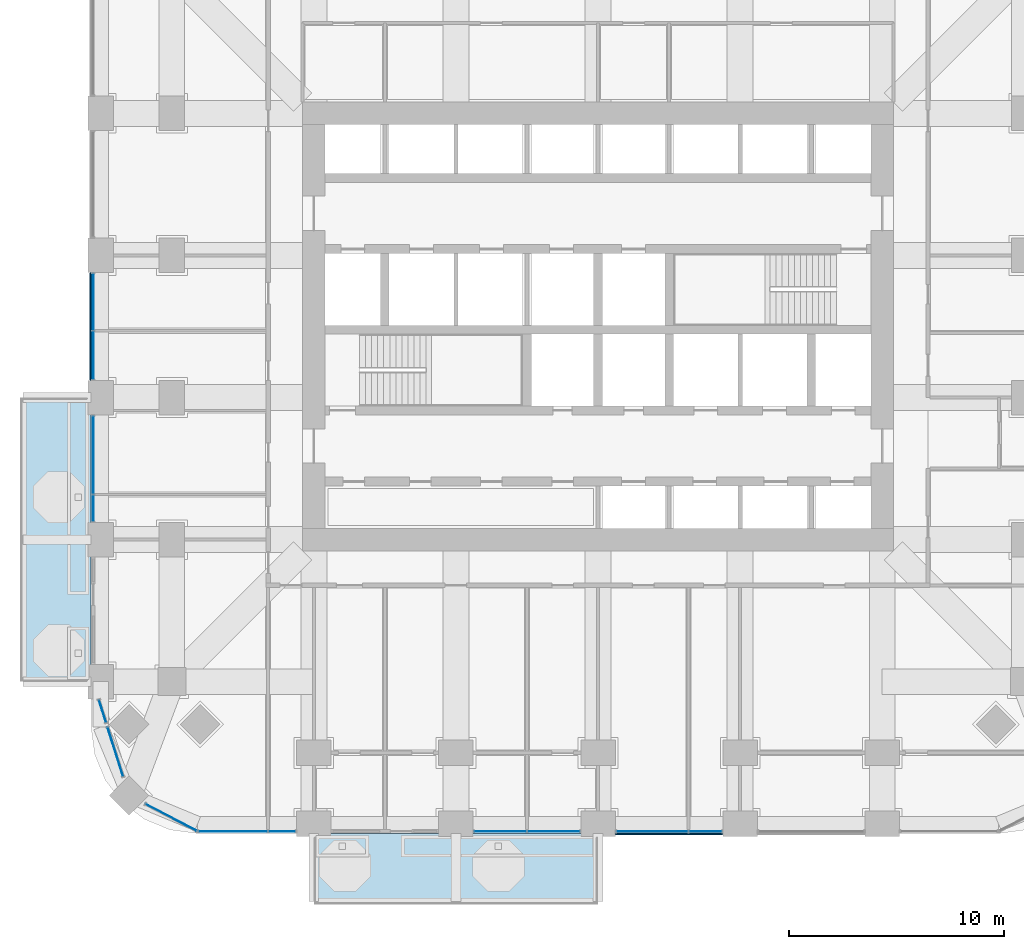
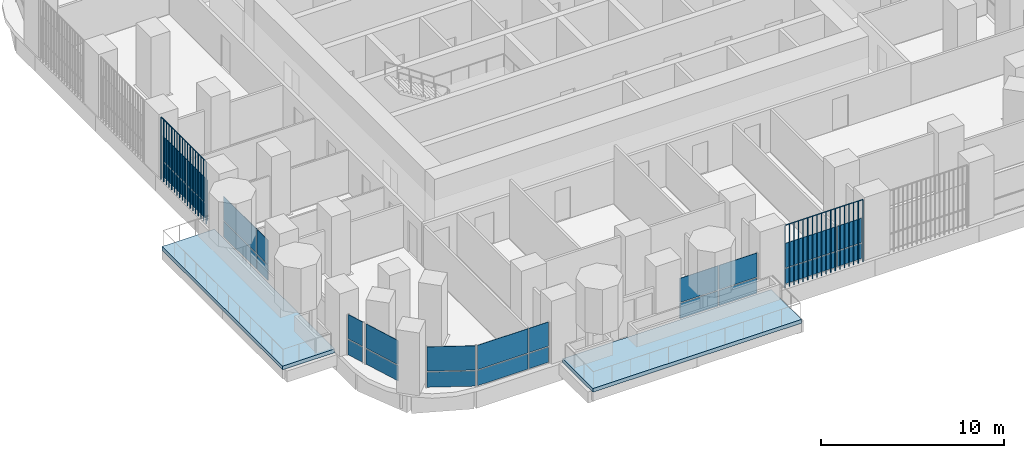
# One storey, part 8 of 21: 28 plates, 2 slabs, 8 elements without a shape of their own.
"""IFC4 building model written with IfcOpenShell, lengths in metres."""

from ifc_helpers import new_model, si_unit, direction, frame, origin, origin_2d, place, context, subcontext, project, spatial, polyline, rectangle, outline, extrude, material, layer, layer_set, type_object, element, aggregate, save


model = new_model("IFC4")

# Units and contexts
model_context = context("Model", 3, precision=1e-05, world=origin(), true_north=direction((0.0, 1.0)))
body_context = subcontext(model_context, "Body", "Model", "MODEL_VIEW")
ifc_project = project(units=[si_unit("LENGTHUNIT", "METRE"), si_unit("AREAUNIT", "SQUARE_METRE"), si_unit("VOLUMEUNIT", "CUBIC_METRE"), si_unit("PLANEANGLEUNIT", "RADIAN"), si_unit("MASSUNIT", "GRAM", prefix="KILO")], contexts=[model_context])

# Site, building, storey
site_placement = place(None, origin())
site = spatial("IfcSite", under=ifc_project, at=site_placement, CompositionType="ELEMENT")
building_placement = place(site_placement, origin())
building = spatial("IfcBuilding", under=site, at=building_placement, Name="Cobogo Forest Laboratory Tower", CompositionType="ELEMENT")
storey_placement = place(building_placement, frame((0.0, 0.0, 99.0)))
storey = spatial("IfcBuildingStorey", under=building, at=storey_placement, Name="L22", CompositionType="ELEMENT", Elevation=99.0)

# Slabs
ifc_material_1 = material(Name="Concrete HA-40 (C40/50)", Category="concrete")
ifc_layer_1 = layer(ifc_material_1, 0.25)
ifc_layer_set_1 = layer_set([ifc_layer_1], Name="Balcony slab 250")
slab_type = type_object("IfcSlabType", Name="Balcony slab 250", PredefinedType="FLOOR", material=ifc_layer_set_1)
slab_1_placement = place(storey_placement, frame((0.0, 0.0, -0.25)))
element("IfcSlab", 1, at=slab_1_placement, inside=storey, type_object=slab_type, Name="Balcony BAL-S1 L22", PredefinedType="FLOOR", context=body_context, shape_type="SweptSolid", body=[
    extrude(outline(polyline([(13.199951171875, -3.75), (26.39990234375, -3.75), (26.39990234375, -0.449951171875), (13.199951171875, -0.449951171875), (13.199951171875, -3.75)])), origin(), (0.0, 0.0, 1.0), 0.25),
])
slab_2_placement = place(storey_placement, frame((0.0, 0.0, -0.25)))
element("IfcSlab", 2, at=slab_2_placement, inside=storey, type_object=slab_type, Name="Balcony BAL-W1 L22", PredefinedType="FLOOR", context=body_context, shape_type="SweptSolid", body=[
    extrude(outline(polyline([(-0.449951171875, 6.60009765625), (2.85009765625, 6.60009765625), (2.85009765625, 19.800048828125), (-0.449951171875, 19.800048828125), (-0.449951171875, 6.60009765625)])), origin(), (0.0, 0.0, 1.0), 0.25),
])

# Curtain wall, plates
ifc_material_2 = material(Name="Aluminium curtain wall", Category="aluminium")
curtain_wall_type = type_object("IfcCurtainWallType", Name="CW-1 unitised curtain wall, clear glazing, laboratory floors zones A and B", PredefinedType="USERDEFINED", material=ifc_material_2)
curtain_wall_1_placement = place(storey_placement, origin())
curtain_wall_1 = element("IfcCurtainWall", 3, at=curtain_wall_1_placement, inside=storey, type_object=curtain_wall_type, Name="Curtain wall 01 L22", ObjectType="UNITISED CURTAIN WALL", PredefinedType="USERDEFINED")
ifc_material_3 = material(Name="Clear insulated glass", Category="glass")
ifc_layer_2 = layer(ifc_material_3, 0.028076171875)
ifc_layer_set_2 = layer_set([ifc_layer_2], Name="GP-1 clear insulated glass unit 28")
plate_type_1 = type_object("IfcPlateType", Name="GP-1 clear insulated glass unit 28", PredefinedType="CURTAIN_PANEL", material=ifc_layer_set_2)
plate_1_placement = place(storey_placement, frame((9.452392578125, -0.35009765625, 0.0), z_axis=(0.0, 0.0, 1.0), x_axis=(1.0, 0.0, 0.0)))
plate_1 = element("IfcPlate", 4, at=plate_1_placement, type_object=plate_type_1, Name="CW-1 panel 1.1", PredefinedType="CURTAIN_PANEL", context=body_context, shape_type="SweptSolid", body=[
    extrude(rectangle(XDim=3.18505859375, YDim=0.028076171875, at=origin_2d()), origin(), (0.0, 0.0, 1.0), 1.02001953125),
])
plate_2_placement = place(storey_placement, frame((9.452392578125, -0.35009765625, 1.079833984375), z_axis=(0.0, 0.0, 1.0), x_axis=(1.0, 0.0, 0.0)))
plate_2 = element("IfcPlate", 5, at=plate_2_placement, type_object=plate_type_1, Name="CW-1 panel 1.2", PredefinedType="CURTAIN_PANEL", context=body_context, shape_type="SweptSolid", body=[
    extrude(rectangle(XDim=3.18505859375, YDim=0.028076171875, at=origin_2d()), origin(), (0.0, 0.0, 1.0), 1.6201171875),
])
plate_3_placement = place(storey_placement, frame((11.722412109375, -0.35009765625, 0.0), z_axis=(0.0, 0.0, 1.0), x_axis=(1.0, 0.0, 0.0)))
plate_3 = element("IfcPlate", 6, at=plate_3_placement, type_object=plate_type_1, Name="CW-1 panel 2.1", PredefinedType="CURTAIN_PANEL", context=body_context, shape_type="SweptSolid", body=[
    extrude(rectangle(XDim=1.235107421875, YDim=0.028076171875, at=origin_2d()), origin(), (0.0, 0.0, 1.0), 1.02001953125),
])
plate_4_placement = place(storey_placement, frame((11.722412109375, -0.35009765625, 1.079833984375), z_axis=(0.0, 0.0, 1.0), x_axis=(1.0, 0.0, 0.0)))
plate_4 = element("IfcPlate", 7, at=plate_4_placement, type_object=plate_type_1, Name="CW-1 panel 2.2", PredefinedType="CURTAIN_PANEL", context=body_context, shape_type="SweptSolid", body=[
    extrude(rectangle(XDim=1.235107421875, YDim=0.028076171875, at=origin_2d()), origin(), (0.0, 0.0, 1.0), 1.6201171875),
])
aggregate(curtain_wall_1, [plate_1, plate_2, plate_3, plate_4])

curtain_wall_2_placement = place(storey_placement, origin())
curtain_wall_2 = element("IfcCurtainWall", 8, at=curtain_wall_2_placement, inside=storey, type_object=curtain_wall_type, Name="Curtain wall 03 L22", ObjectType="UNITISED CURTAIN WALL", PredefinedType="USERDEFINED")
plate_5_placement = place(storey_placement, frame((21.864990234375, -0.35009765625, 0.0), z_axis=(0.0, 0.0, 1.0), x_axis=(1.0, 0.0, 0.0)))
plate_5 = element("IfcPlate", 9, at=plate_5_placement, type_object=plate_type_1, Name="CW-1 panel 1.1", PredefinedType="CURTAIN_PANEL", context=body_context, shape_type="SweptSolid", body=[
    extrude(rectangle(XDim=2.409912109375, YDim=0.028076171875, at=origin_2d()), origin(), (0.0, 0.0, 1.0), 1.02001953125),
])
plate_6_placement = place(storey_placement, frame((21.864990234375, -0.35009765625, 1.079833984375), z_axis=(0.0, 0.0, 1.0), x_axis=(1.0, 0.0, 0.0)))
plate_6 = element("IfcPlate", 10, at=plate_6_placement, type_object=plate_type_1, Name="CW-1 panel 1.2", PredefinedType="CURTAIN_PANEL", context=body_context, shape_type="SweptSolid", body=[
    extrude(rectangle(XDim=2.409912109375, YDim=0.028076171875, at=origin_2d()), origin(), (0.0, 0.0, 1.0), 1.6201171875),
])
plate_7_placement = place(storey_placement, frame((24.3349609375, -0.35009765625, 0.0), z_axis=(0.0, 0.0, 1.0), x_axis=(1.0, 0.0, 0.0)))
plate_7 = element("IfcPlate", 11, at=plate_7_placement, type_object=plate_type_1, Name="CW-1 panel 2.1", PredefinedType="CURTAIN_PANEL", context=body_context, shape_type="SweptSolid", body=[
    extrude(rectangle(XDim=2.409912109375, YDim=0.028076171875, at=origin_2d()), origin(), (0.0, 0.0, 1.0), 1.02001953125),
])
plate_8_placement = place(storey_placement, frame((24.3349609375, -0.35009765625, 1.079833984375), z_axis=(0.0, 0.0, 1.0), x_axis=(1.0, 0.0, 0.0)))
plate_8 = element("IfcPlate", 12, at=plate_8_placement, type_object=plate_type_1, Name="CW-1 panel 2.2", PredefinedType="CURTAIN_PANEL", context=body_context, shape_type="SweptSolid", body=[
    extrude(rectangle(XDim=2.409912109375, YDim=0.028076171875, at=origin_2d()), origin(), (0.0, 0.0, 1.0), 1.6201171875),
])
aggregate(curtain_wall_2, [plate_5, plate_6, plate_7, plate_8])

curtain_wall_3_placement = place(storey_placement, origin())
curtain_wall_3 = element("IfcCurtainWall", 13, at=curtain_wall_3_placement, inside=storey, type_object=curtain_wall_type, Name="Curtain wall 04 L22", ObjectType="UNITISED CURTAIN WALL", PredefinedType="USERDEFINED")
plate_9_placement = place(storey_placement, frame((28.9150390625, -0.35009765625, 0.0), z_axis=(0.0, 0.0, 1.0), x_axis=(1.0, 0.0, 0.0)))
plate_9 = element("IfcPlate", 14, at=plate_9_placement, type_object=plate_type_1, Name="CW-1 panel 1.1", PredefinedType="CURTAIN_PANEL", context=body_context, shape_type="SweptSolid", body=[
    extrude(rectangle(XDim=3.31005859375, YDim=0.028076171875, at=origin_2d()), origin(), (0.0, 0.0, 1.0), 1.02001953125),
])
plate_10_placement = place(storey_placement, frame((28.9150390625, -0.35009765625, 1.079833984375), z_axis=(0.0, 0.0, 1.0), x_axis=(1.0, 0.0, 0.0)))
plate_10 = element("IfcPlate", 15, at=plate_10_placement, type_object=plate_type_1, Name="CW-1 panel 1.2", PredefinedType="CURTAIN_PANEL", context=body_context, shape_type="SweptSolid", body=[
    extrude(rectangle(XDim=3.31005859375, YDim=0.028076171875, at=origin_2d()), origin(), (0.0, 0.0, 1.0), 1.6201171875),
])
plate_11_placement = place(storey_placement, frame((31.385009765625, -0.35009765625, 0.0), z_axis=(0.0, 0.0, 1.0), x_axis=(1.0, 0.0, 0.0)))
plate_11 = element("IfcPlate", 16, at=plate_11_placement, type_object=plate_type_1, Name="CW-1 panel 2.1", PredefinedType="CURTAIN_PANEL", context=body_context, shape_type="SweptSolid", body=[
    extrude(rectangle(XDim=1.510009765625, YDim=0.028076171875, at=origin_2d()), origin(), (0.0, 0.0, 1.0), 1.02001953125),
])
plate_12_placement = place(storey_placement, frame((31.385009765625, -0.35009765625, 1.079833984375), z_axis=(0.0, 0.0, 1.0), x_axis=(1.0, 0.0, 0.0)))
plate_12 = element("IfcPlate", 17, at=plate_12_placement, type_object=plate_type_1, Name="CW-1 panel 2.2", PredefinedType="CURTAIN_PANEL", context=body_context, shape_type="SweptSolid", body=[
    extrude(rectangle(XDim=1.510009765625, YDim=0.028076171875, at=origin_2d()), origin(), (0.0, 0.0, 1.0), 1.6201171875),
])
aggregate(curtain_wall_3, [plate_9, plate_10, plate_11, plate_12])

curtain_wall_4_placement = place(storey_placement, origin())
curtain_wall_4 = element("IfcCurtainWall", 18, at=curtain_wall_4_placement, inside=storey, type_object=curtain_wall_type, Name="Curtain wall 29 L22", ObjectType="UNITISED CURTAIN WALL", PredefinedType="USERDEFINED")
plate_13_placement = place(storey_placement, frame((2.949951171875, 24.235107421875, 0.0), z_axis=(0.0, 0.0, 1.0), x_axis=(0.0, -1.0, 0.0)))
plate_13 = element("IfcPlate", 19, at=plate_13_placement, type_object=plate_type_1, Name="CW-1 panel 1.1", PredefinedType="CURTAIN_PANEL", context=body_context, shape_type="SweptSolid", body=[
    extrude(rectangle(XDim=2.610107421875, YDim=0.028076171875, at=origin_2d()), origin(), (0.0, 0.0, 1.0), 1.02001953125),
])
plate_14_placement = place(storey_placement, frame((2.949951171875, 24.235107421875, 1.079833984375), z_axis=(0.0, 0.0, 1.0), x_axis=(0.0, -1.0, 0.0)))
plate_14 = element("IfcPlate", 20, at=plate_14_placement, type_object=plate_type_1, Name="CW-1 panel 1.2", PredefinedType="CURTAIN_PANEL", context=body_context, shape_type="SweptSolid", body=[
    extrude(rectangle(XDim=2.610107421875, YDim=0.028076171875, at=origin_2d()), origin(), (0.0, 0.0, 1.0), 1.6201171875),
])
plate_15_placement = place(storey_placement, frame((2.949951171875, 21.764892578125, 0.0), z_axis=(0.0, 0.0, 1.0), x_axis=(0.0, -1.0, 0.0)))
plate_15 = element("IfcPlate", 21, at=plate_15_placement, type_object=plate_type_1, Name="CW-1 panel 2.1", PredefinedType="CURTAIN_PANEL", context=body_context, shape_type="SweptSolid", body=[
    extrude(rectangle(XDim=2.2099609375, YDim=0.028076171875, at=origin_2d()), origin(), (0.0, 0.0, 1.0), 1.02001953125),
])
plate_16_placement = place(storey_placement, frame((2.949951171875, 21.764892578125, 1.079833984375), z_axis=(0.0, 0.0, 1.0), x_axis=(0.0, -1.0, 0.0)))
plate_16 = element("IfcPlate", 22, at=plate_16_placement, type_object=plate_type_1, Name="CW-1 panel 2.2", PredefinedType="CURTAIN_PANEL", context=body_context, shape_type="SweptSolid", body=[
    extrude(rectangle(XDim=2.2099609375, YDim=0.028076171875, at=origin_2d()), origin(), (0.0, 0.0, 1.0), 1.6201171875),
])
aggregate(curtain_wall_4, [plate_13, plate_14, plate_15, plate_16])

curtain_wall_5_placement = place(storey_placement, origin())
curtain_wall_5 = element("IfcCurtainWall", 23, at=curtain_wall_5_placement, inside=storey, type_object=curtain_wall_type, Name="Curtain wall 30 L22", ObjectType="UNITISED CURTAIN WALL", PredefinedType="USERDEFINED")
plate_17_placement = place(storey_placement, frame((2.949951171875, 17.135009765625, 0.0), z_axis=(0.0, 0.0, 1.0), x_axis=(0.0, -1.0, 0.0)))
plate_17 = element("IfcPlate", 24, at=plate_17_placement, type_object=plate_type_1, Name="CW-1 panel 1.1", PredefinedType="CURTAIN_PANEL", context=body_context, shape_type="SweptSolid", body=[
    extrude(rectangle(XDim=3.610107421875, YDim=0.028076171875, at=origin_2d()), origin(), (0.0, 0.0, 1.0), 1.02001953125),
])
plate_18_placement = place(storey_placement, frame((2.949951171875, 17.135009765625, 1.079833984375), z_axis=(0.0, 0.0, 1.0), x_axis=(0.0, -1.0, 0.0)))
plate_18 = element("IfcPlate", 25, at=plate_18_placement, type_object=plate_type_1, Name="CW-1 panel 1.2", PredefinedType="CURTAIN_PANEL", context=body_context, shape_type="SweptSolid", body=[
    extrude(rectangle(XDim=3.610107421875, YDim=0.028076171875, at=origin_2d()), origin(), (0.0, 0.0, 1.0), 1.6201171875),
])
plate_19_placement = place(storey_placement, frame((2.949951171875, 14.6650390625, 0.0), z_axis=(0.0, 0.0, 1.0), x_axis=(0.0, -1.0, 0.0)))
plate_19 = element("IfcPlate", 26, at=plate_19_placement, type_object=plate_type_1, Name="CW-1 panel 2.1", PredefinedType="CURTAIN_PANEL", context=body_context, shape_type="SweptSolid", body=[
    extrude(rectangle(XDim=1.2099609375, YDim=0.028076171875, at=origin_2d()), origin(), (0.0, 0.0, 1.0), 1.02001953125),
])
plate_20_placement = place(storey_placement, frame((2.949951171875, 14.6650390625, 1.079833984375), z_axis=(0.0, 0.0, 1.0), x_axis=(0.0, -1.0, 0.0)))
plate_20 = element("IfcPlate", 27, at=plate_20_placement, type_object=plate_type_1, Name="CW-1 panel 2.2", PredefinedType="CURTAIN_PANEL", context=body_context, shape_type="SweptSolid", body=[
    extrude(rectangle(XDim=1.2099609375, YDim=0.028076171875, at=origin_2d()), origin(), (0.0, 0.0, 1.0), 1.6201171875),
])
aggregate(curtain_wall_5, [plate_17, plate_18, plate_19, plate_20])

curtain_wall_6_placement = place(storey_placement, origin())
curtain_wall_6 = element("IfcCurtainWall", 28, at=curtain_wall_6_placement, inside=storey, type_object=curtain_wall_type, Name="Curtain wall 32 L22", ObjectType="UNITISED CURTAIN WALL", PredefinedType="USERDEFINED")
plate_21_placement = place(storey_placement, frame((3.3818359375, 5.232177734375, 0.0), z_axis=(0.0, 0.0, 1.0), x_axis=(0.301135667865, -0.953581307252, 0.0)))
plate_21 = element("IfcPlate", 29, at=plate_21_placement, type_object=plate_type_1, Name="CW-1 panel 1.1", PredefinedType="CURTAIN_PANEL", context=body_context, shape_type="SweptSolid", body=[
    extrude(rectangle(XDim=1.071044921875, YDim=0.028076171875, at=origin_2d()), origin(), (0.0, 0.0, 1.0), 1.02001953125),
])
plate_22_placement = place(storey_placement, frame((3.3818359375, 5.232177734375, 1.079833984375), z_axis=(0.0, 0.0, 1.0), x_axis=(0.301135667865, -0.953581307252, 0.0)))
plate_22 = element("IfcPlate", 30, at=plate_22_placement, type_object=plate_type_1, Name="CW-1 panel 1.2", PredefinedType="CURTAIN_PANEL", context=body_context, shape_type="SweptSolid", body=[
    extrude(rectangle(XDim=1.071044921875, YDim=0.028076171875, at=origin_2d()), origin(), (0.0, 0.0, 1.0), 1.6201171875),
])
aggregate(curtain_wall_6, [plate_21, plate_22])

curtain_wall_7_placement = place(storey_placement, origin())
curtain_wall_7 = element("IfcCurtainWall", 31, at=curtain_wall_7_placement, inside=storey, type_object=curtain_wall_type, Name="Curtain wall 33 L22", ObjectType="UNITISED CURTAIN WALL", PredefinedType="USERDEFINED")
plate_23_placement = place(storey_placement, frame((3.978759765625, 3.342529296875, 0.0), z_axis=(0.0, 0.0, 1.0), x_axis=(0.301135291996, -0.953581425949, 0.0)))
plate_23 = element("IfcPlate", 32, at=plate_23_placement, type_object=plate_type_1, Name="CW-1 panel 1.1", PredefinedType="CURTAIN_PANEL", context=body_context, shape_type="SweptSolid", body=[
    extrude(rectangle(XDim=2.3681640625, YDim=0.028076171875, at=origin_2d()), origin(), (0.0, 0.0, 1.0), 1.02001953125),
])
plate_24_placement = place(storey_placement, frame((3.978759765625, 3.342529296875, 1.079833984375), z_axis=(0.0, 0.0, 1.0), x_axis=(0.301135291996, -0.953581425949, 0.0)))
plate_24 = element("IfcPlate", 33, at=plate_24_placement, type_object=plate_type_1, Name="CW-1 panel 1.2", PredefinedType="CURTAIN_PANEL", context=body_context, shape_type="SweptSolid", body=[
    extrude(rectangle(XDim=2.3681640625, YDim=0.028076171875, at=origin_2d()), origin(), (0.0, 0.0, 1.0), 1.6201171875),
])
aggregate(curtain_wall_7, [plate_23, plate_24])

curtain_wall_8_placement = place(storey_placement, origin())
curtain_wall_8 = element("IfcCurtainWall", 34, at=curtain_wall_8_placement, inside=storey, type_object=curtain_wall_type, Name="Curtain wall 34 L22", ObjectType="UNITISED CURTAIN WALL", PredefinedType="USERDEFINED")
plate_25_placement = place(storey_placement, frame((6.57080078125, 0.29443359375, 0.0), z_axis=(0.0, 0.0, 1.0), x_axis=(0.885686547075, -0.464283685186, 0.0)))
plate_25 = element("IfcPlate", 35, at=plate_25_placement, type_object=plate_type_1, Name="CW-1 panel 1.1", PredefinedType="CURTAIN_PANEL", context=body_context, shape_type="SweptSolid", body=[
    extrude(rectangle(XDim=2.655517578125, YDim=0.028076171875, at=origin_2d()), origin(), (0.0, 0.0, 1.0), 1.02001953125),
])
plate_26_placement = place(storey_placement, frame((6.57080078125, 0.29443359375, 1.079833984375), z_axis=(0.0, 0.0, 1.0), x_axis=(0.885686547075, -0.464283685186, 0.0)))
plate_26 = element("IfcPlate", 36, at=plate_26_placement, type_object=plate_type_1, Name="CW-1 panel 1.2", PredefinedType="CURTAIN_PANEL", context=body_context, shape_type="SweptSolid", body=[
    extrude(rectangle(XDim=2.655517578125, YDim=0.028076171875, at=origin_2d()), origin(), (0.0, 0.0, 1.0), 1.6201171875),
])
aggregate(curtain_wall_8, [plate_25, plate_26])

# Plates
ifc_material_4 = material(Name="Terracotta", Category="masonry")
plate_type_2 = type_object("IfcPlateType", Name="TB1 terracotta baguette screen", PredefinedType="USERDEFINED", material=ifc_material_4)
plate_27_placement = place(storey_placement, frame((27.231201171875, -0.477783203125, -0.14990234375)))
element("IfcPlate", 37, at=plate_27_placement, inside=storey, type_object=plate_type_2, Name="Baguette screen S3 L22", ObjectType="BAGUETTE SCREEN", PredefinedType="USERDEFINED", context=body_context, shape_type="SweptSolid", body=[
    extrude(outline(polyline([(0.02880859375, 0.011962890625), (0.011962890625, 0.02880859375), (-0.011962890625, 0.02880859375), (-0.02880859375, 0.011962890625), (-0.02880859375, -0.011962890625), (-0.011962890625, -0.02880859375), (0.011962890625, -0.02880859375), (0.02880859375, -0.011962890625), (0.02880859375, 0.011962890625)])), frame((0.0, 0.0, 4.168701171875), z_axis=(1.0, 0.0, 0.0), x_axis=(0.0, 1.0, 0.0)), (0.0, 0.0, 1.0), 4.9375),
    extrude(outline(polyline([(0.02880859375, 0.011962890625), (0.011962890625, 0.02880859375), (-0.011962890625, 0.02880859375), (-0.02880859375, 0.011962890625), (-0.02880859375, -0.011962890625), (-0.011962890625, -0.02880859375), (0.011962890625, -0.02880859375), (0.02880859375, -0.011962890625), (0.02880859375, 0.011962890625)])), origin(), (0.0, 0.0, 1.0), 4.137451171875),
    extrude(outline(polyline([(0.02880859375, 0.011962890625), (0.011962890625, 0.02880859375), (-0.011962890625, 0.02880859375), (-0.02880859375, 0.011962890625), (-0.02880859375, -0.011962890625), (-0.011962890625, -0.02880859375), (0.011962890625, -0.02880859375), (0.02880859375, -0.011962890625), (0.02880859375, 0.011962890625)])), frame((0.29052734375, 0.0, 0.0)), (0.0, 0.0, 1.0), 4.137451171875),
    extrude(outline(polyline([(0.02880859375, 0.011962890625), (0.011962890625, 0.02880859375), (-0.011962890625, 0.02880859375), (-0.02880859375, 0.011962890625), (-0.02880859375, -0.011962890625), (-0.011962890625, -0.02880859375), (0.011962890625, -0.02880859375), (0.02880859375, -0.011962890625), (0.02880859375, 0.011962890625)])), frame((0.580810546875, 0.0, 0.0)), (0.0, 0.0, 1.0), 4.137451171875),
    extrude(outline(polyline([(0.02880859375, 0.011962890625), (0.011962890625, 0.02880859375), (-0.011962890625, 0.02880859375), (-0.02880859375, 0.011962890625), (-0.02880859375, -0.011962890625), (-0.011962890625, -0.02880859375), (0.011962890625, -0.02880859375), (0.02880859375, -0.011962890625), (0.02880859375, 0.011962890625)])), frame((0.871337890625, 0.0, 0.0)), (0.0, 0.0, 1.0), 4.137451171875),
    extrude(outline(polyline([(0.02880859375, 0.011962890625), (0.011962890625, 0.02880859375), (-0.011962890625, 0.02880859375), (-0.02880859375, 0.011962890625), (-0.02880859375, -0.011962890625), (-0.011962890625, -0.02880859375), (0.011962890625, -0.02880859375), (0.02880859375, -0.011962890625), (0.02880859375, 0.011962890625)])), frame((1.161865234375, 0.0, 0.0)), (0.0, 0.0, 1.0), 4.137451171875),
    extrude(outline(polyline([(0.02880859375, 0.011962890625), (0.011962890625, 0.02880859375), (-0.011962890625, 0.02880859375), (-0.02880859375, 0.011962890625), (-0.02880859375, -0.011962890625), (-0.011962890625, -0.02880859375), (0.011962890625, -0.02880859375), (0.02880859375, -0.011962890625), (0.02880859375, 0.011962890625)])), frame((1.4521484375, 0.0, 0.0)), (0.0, 0.0, 1.0), 4.137451171875),
    extrude(outline(polyline([(0.02880859375, 0.011962890625), (0.011962890625, 0.02880859375), (-0.011962890625, 0.02880859375), (-0.02880859375, 0.011962890625), (-0.02880859375, -0.011962890625), (-0.011962890625, -0.02880859375), (0.011962890625, -0.02880859375), (0.02880859375, -0.011962890625), (0.02880859375, 0.011962890625)])), frame((1.74267578125, 0.0, 0.0)), (0.0, 0.0, 1.0), 4.137451171875),
    extrude(outline(polyline([(0.02880859375, 0.011962890625), (0.011962890625, 0.02880859375), (-0.011962890625, 0.02880859375), (-0.02880859375, 0.011962890625), (-0.02880859375, -0.011962890625), (-0.011962890625, -0.02880859375), (0.011962890625, -0.02880859375), (0.02880859375, -0.011962890625), (0.02880859375, 0.011962890625)])), frame((2.033203125, 0.0, 0.0)), (0.0, 0.0, 1.0), 4.137451171875),
    extrude(outline(polyline([(0.02880859375, 0.011962890625), (0.011962890625, 0.02880859375), (-0.011962890625, 0.02880859375), (-0.02880859375, 0.011962890625), (-0.02880859375, -0.011962890625), (-0.011962890625, -0.02880859375), (0.011962890625, -0.02880859375), (0.02880859375, -0.011962890625), (0.02880859375, 0.011962890625)])), frame((2.323486328125, 0.0, 0.0)), (0.0, 0.0, 1.0), 4.137451171875),
    extrude(outline(polyline([(0.02880859375, 0.011962890625), (0.011962890625, 0.02880859375), (-0.011962890625, 0.02880859375), (-0.02880859375, 0.011962890625), (-0.02880859375, -0.011962890625), (-0.011962890625, -0.02880859375), (0.011962890625, -0.02880859375), (0.02880859375, -0.011962890625), (0.02880859375, 0.011962890625)])), frame((2.614013671875, 0.0, 0.0)), (0.0, 0.0, 1.0), 4.137451171875),
    extrude(outline(polyline([(0.02880859375, 0.011962890625), (0.011962890625, 0.02880859375), (-0.011962890625, 0.02880859375), (-0.02880859375, 0.011962890625), (-0.02880859375, -0.011962890625), (-0.011962890625, -0.02880859375), (0.011962890625, -0.02880859375), (0.02880859375, -0.011962890625), (0.02880859375, 0.011962890625)])), frame((2.904296875, 0.0, 0.0)), (0.0, 0.0, 1.0), 4.137451171875),
    extrude(outline(polyline([(0.02880859375, 0.011962890625), (0.011962890625, 0.02880859375), (-0.011962890625, 0.02880859375), (-0.02880859375, 0.011962890625), (-0.02880859375, -0.011962890625), (-0.011962890625, -0.02880859375), (0.011962890625, -0.02880859375), (0.02880859375, -0.011962890625), (0.02880859375, 0.011962890625)])), frame((3.19482421875, 0.0, 0.0)), (0.0, 0.0, 1.0), 4.137451171875),
    extrude(outline(polyline([(0.02880859375, 0.011962890625), (0.011962890625, 0.02880859375), (-0.011962890625, 0.02880859375), (-0.02880859375, 0.011962890625), (-0.02880859375, -0.011962890625), (-0.011962890625, -0.02880859375), (0.011962890625, -0.02880859375), (0.02880859375, -0.011962890625), (0.02880859375, 0.011962890625)])), frame((3.4853515625, 0.0, 0.0)), (0.0, 0.0, 1.0), 4.137451171875),
    extrude(outline(polyline([(0.02880859375, 0.011962890625), (0.011962890625, 0.02880859375), (-0.011962890625, 0.02880859375), (-0.02880859375, 0.011962890625), (-0.02880859375, -0.011962890625), (-0.011962890625, -0.02880859375), (0.011962890625, -0.02880859375), (0.02880859375, -0.011962890625), (0.02880859375, 0.011962890625)])), frame((3.775634765625, 0.0, 0.0)), (0.0, 0.0, 1.0), 4.137451171875),
    extrude(outline(polyline([(0.02880859375, 0.011962890625), (0.011962890625, 0.02880859375), (-0.011962890625, 0.02880859375), (-0.02880859375, 0.011962890625), (-0.02880859375, -0.011962890625), (-0.011962890625, -0.02880859375), (0.011962890625, -0.02880859375), (0.02880859375, -0.011962890625), (0.02880859375, 0.011962890625)])), frame((4.066162109375, 0.0, 0.0)), (0.0, 0.0, 1.0), 4.137451171875),
    extrude(outline(polyline([(0.02880859375, 0.011962890625), (0.011962890625, 0.02880859375), (-0.011962890625, 0.02880859375), (-0.02880859375, 0.011962890625), (-0.02880859375, -0.011962890625), (-0.011962890625, -0.02880859375), (0.011962890625, -0.02880859375), (0.02880859375, -0.011962890625), (0.02880859375, 0.011962890625)])), frame((4.356689453125, 0.0, 0.0)), (0.0, 0.0, 1.0), 4.137451171875),
    extrude(outline(polyline([(0.02880859375, 0.011962890625), (0.011962890625, 0.02880859375), (-0.011962890625, 0.02880859375), (-0.02880859375, 0.011962890625), (-0.02880859375, -0.011962890625), (-0.011962890625, -0.02880859375), (0.011962890625, -0.02880859375), (0.02880859375, -0.011962890625), (0.02880859375, 0.011962890625)])), frame((4.64697265625, 0.0, 0.0)), (0.0, 0.0, 1.0), 4.137451171875),
    extrude(outline(polyline([(0.02880859375, 0.011962890625), (0.011962890625, 0.02880859375), (-0.011962890625, 0.02880859375), (-0.02880859375, 0.011962890625), (-0.02880859375, -0.011962890625), (-0.011962890625, -0.02880859375), (0.011962890625, -0.02880859375), (0.02880859375, -0.011962890625), (0.02880859375, 0.011962890625)])), frame((4.9375, 0.0, 0.0)), (0.0, 0.0, 1.0), 4.137451171875),
])
plate_28_placement = place(storey_placement, frame((2.822021484375, 20.63134765625, -0.14990234375)))
element("IfcPlate", 38, at=plate_28_placement, inside=storey, type_object=plate_type_2, Name="Baguette screen W3 L22", ObjectType="BAGUETTE SCREEN", PredefinedType="USERDEFINED", context=body_context, shape_type="SweptSolid", body=[
    extrude(outline(polyline([(0.02880859375, 0.011962890625), (0.011962890625, 0.02880859375), (-0.011962890625, 0.02880859375), (-0.02880859375, 0.011962890625), (-0.02880859375, -0.011962890625), (-0.011962890625, -0.02880859375), (0.011962890625, -0.02880859375), (0.02880859375, -0.011962890625), (0.02880859375, 0.011962890625)])), frame((0.0, 0.0, 4.168701171875), z_axis=(0.0, 1.0, 0.0), x_axis=(-1.0, 0.0, 0.0)), (0.0, 0.0, 1.0), 4.9375),
    extrude(outline(polyline([(0.02880859375, 0.011962890625), (0.011962890625, 0.02880859375), (-0.011962890625, 0.02880859375), (-0.02880859375, 0.011962890625), (-0.02880859375, -0.011962890625), (-0.011962890625, -0.02880859375), (0.011962890625, -0.02880859375), (0.02880859375, -0.011962890625), (0.02880859375, 0.011962890625)])), origin(), (0.0, 0.0, 1.0), 4.137451171875),
    extrude(outline(polyline([(0.02880859375, 0.011962890625), (0.011962890625, 0.02880859375), (-0.011962890625, 0.02880859375), (-0.02880859375, 0.011962890625), (-0.02880859375, -0.011962890625), (-0.011962890625, -0.02880859375), (0.011962890625, -0.02880859375), (0.02880859375, -0.011962890625), (0.02880859375, 0.011962890625)])), frame((0.0, 0.29052734375, 0.0)), (0.0, 0.0, 1.0), 4.137451171875),
    extrude(outline(polyline([(0.02880859375, 0.011962890625), (0.011962890625, 0.02880859375), (-0.011962890625, 0.02880859375), (-0.02880859375, 0.011962890625), (-0.02880859375, -0.011962890625), (-0.011962890625, -0.02880859375), (0.011962890625, -0.02880859375), (0.02880859375, -0.011962890625), (0.02880859375, 0.011962890625)])), frame((0.0, 0.580810546875, 0.0)), (0.0, 0.0, 1.0), 4.137451171875),
    extrude(outline(polyline([(0.02880859375, 0.011962890625), (0.011962890625, 0.02880859375), (-0.011962890625, 0.02880859375), (-0.02880859375, 0.011962890625), (-0.02880859375, -0.011962890625), (-0.011962890625, -0.02880859375), (0.011962890625, -0.02880859375), (0.02880859375, -0.011962890625), (0.02880859375, 0.011962890625)])), frame((0.0, 0.871337890625, 0.0)), (0.0, 0.0, 1.0), 4.137451171875),
    extrude(outline(polyline([(0.02880859375, 0.011962890625), (0.011962890625, 0.02880859375), (-0.011962890625, 0.02880859375), (-0.02880859375, 0.011962890625), (-0.02880859375, -0.011962890625), (-0.011962890625, -0.02880859375), (0.011962890625, -0.02880859375), (0.02880859375, -0.011962890625), (0.02880859375, 0.011962890625)])), frame((0.0, 1.161865234375, 0.0)), (0.0, 0.0, 1.0), 4.137451171875),
    extrude(outline(polyline([(0.02880859375, 0.011962890625), (0.011962890625, 0.02880859375), (-0.011962890625, 0.02880859375), (-0.02880859375, 0.011962890625), (-0.02880859375, -0.011962890625), (-0.011962890625, -0.02880859375), (0.011962890625, -0.02880859375), (0.02880859375, -0.011962890625), (0.02880859375, 0.011962890625)])), frame((0.0, 1.4521484375, 0.0)), (0.0, 0.0, 1.0), 4.137451171875),
    extrude(outline(polyline([(0.02880859375, 0.011962890625), (0.011962890625, 0.02880859375), (-0.011962890625, 0.02880859375), (-0.02880859375, 0.011962890625), (-0.02880859375, -0.011962890625), (-0.011962890625, -0.02880859375), (0.011962890625, -0.02880859375), (0.02880859375, -0.011962890625), (0.02880859375, 0.011962890625)])), frame((0.0, 1.74267578125, 0.0)), (0.0, 0.0, 1.0), 4.137451171875),
    extrude(outline(polyline([(0.02880859375, 0.011962890625), (0.011962890625, 0.02880859375), (-0.011962890625, 0.02880859375), (-0.02880859375, 0.011962890625), (-0.02880859375, -0.011962890625), (-0.011962890625, -0.02880859375), (0.011962890625, -0.02880859375), (0.02880859375, -0.011962890625), (0.02880859375, 0.011962890625)])), frame((0.0, 2.033203125, 0.0)), (0.0, 0.0, 1.0), 4.137451171875),
    extrude(outline(polyline([(0.02880859375, 0.011962890625), (0.011962890625, 0.02880859375), (-0.011962890625, 0.02880859375), (-0.02880859375, 0.011962890625), (-0.02880859375, -0.011962890625), (-0.011962890625, -0.02880859375), (0.011962890625, -0.02880859375), (0.02880859375, -0.011962890625), (0.02880859375, 0.011962890625)])), frame((0.0, 2.323486328125, 0.0)), (0.0, 0.0, 1.0), 4.137451171875),
    extrude(outline(polyline([(0.02880859375, 0.011962890625), (0.011962890625, 0.02880859375), (-0.011962890625, 0.02880859375), (-0.02880859375, 0.011962890625), (-0.02880859375, -0.011962890625), (-0.011962890625, -0.02880859375), (0.011962890625, -0.02880859375), (0.02880859375, -0.011962890625), (0.02880859375, 0.011962890625)])), frame((0.0, 2.614013671875, 0.0)), (0.0, 0.0, 1.0), 4.137451171875),
    extrude(outline(polyline([(0.02880859375, 0.011962890625), (0.011962890625, 0.02880859375), (-0.011962890625, 0.02880859375), (-0.02880859375, 0.011962890625), (-0.02880859375, -0.011962890625), (-0.011962890625, -0.02880859375), (0.011962890625, -0.02880859375), (0.02880859375, -0.011962890625), (0.02880859375, 0.011962890625)])), frame((0.0, 2.904296875, 0.0)), (0.0, 0.0, 1.0), 4.137451171875),
    extrude(outline(polyline([(0.02880859375, 0.011962890625), (0.011962890625, 0.02880859375), (-0.011962890625, 0.02880859375), (-0.02880859375, 0.011962890625), (-0.02880859375, -0.011962890625), (-0.011962890625, -0.02880859375), (0.011962890625, -0.02880859375), (0.02880859375, -0.011962890625), (0.02880859375, 0.011962890625)])), frame((0.0, 3.19482421875, 0.0)), (0.0, 0.0, 1.0), 4.137451171875),
    extrude(outline(polyline([(0.02880859375, 0.011962890625), (0.011962890625, 0.02880859375), (-0.011962890625, 0.02880859375), (-0.02880859375, 0.011962890625), (-0.02880859375, -0.011962890625), (-0.011962890625, -0.02880859375), (0.011962890625, -0.02880859375), (0.02880859375, -0.011962890625), (0.02880859375, 0.011962890625)])), frame((0.0, 3.4853515625, 0.0)), (0.0, 0.0, 1.0), 4.137451171875),
    extrude(outline(polyline([(0.02880859375, 0.011962890625), (0.011962890625, 0.02880859375), (-0.011962890625, 0.02880859375), (-0.02880859375, 0.011962890625), (-0.02880859375, -0.011962890625), (-0.011962890625, -0.02880859375), (0.011962890625, -0.02880859375), (0.02880859375, -0.011962890625), (0.02880859375, 0.011962890625)])), frame((0.0, 3.775634765625, 0.0)), (0.0, 0.0, 1.0), 4.137451171875),
    extrude(outline(polyline([(0.02880859375, 0.011962890625), (0.011962890625, 0.02880859375), (-0.011962890625, 0.02880859375), (-0.02880859375, 0.011962890625), (-0.02880859375, -0.011962890625), (-0.011962890625, -0.02880859375), (0.011962890625, -0.02880859375), (0.02880859375, -0.011962890625), (0.02880859375, 0.011962890625)])), frame((0.0, 4.066162109375, 0.0)), (0.0, 0.0, 1.0), 4.137451171875),
    extrude(outline(polyline([(0.02880859375, 0.011962890625), (0.011962890625, 0.02880859375), (-0.011962890625, 0.02880859375), (-0.02880859375, 0.011962890625), (-0.02880859375, -0.011962890625), (-0.011962890625, -0.02880859375), (0.011962890625, -0.02880859375), (0.02880859375, -0.011962890625), (0.02880859375, 0.011962890625)])), frame((0.0, 4.356689453125, 0.0)), (0.0, 0.0, 1.0), 4.137451171875),
    extrude(outline(polyline([(0.02880859375, 0.011962890625), (0.011962890625, 0.02880859375), (-0.011962890625, 0.02880859375), (-0.02880859375, 0.011962890625), (-0.02880859375, -0.011962890625), (-0.011962890625, -0.02880859375), (0.011962890625, -0.02880859375), (0.02880859375, -0.011962890625), (0.02880859375, 0.011962890625)])), frame((0.0, 4.64697265625, 0.0)), (0.0, 0.0, 1.0), 4.137451171875),
    extrude(outline(polyline([(0.02880859375, 0.011962890625), (0.011962890625, 0.02880859375), (-0.011962890625, 0.02880859375), (-0.02880859375, 0.011962890625), (-0.02880859375, -0.011962890625), (-0.011962890625, -0.02880859375), (0.011962890625, -0.02880859375), (0.02880859375, -0.011962890625), (0.02880859375, 0.011962890625)])), frame((0.0, 4.9375, 0.0)), (0.0, 0.0, 1.0), 4.137451171875),
])

save(model, "model.ifc")
